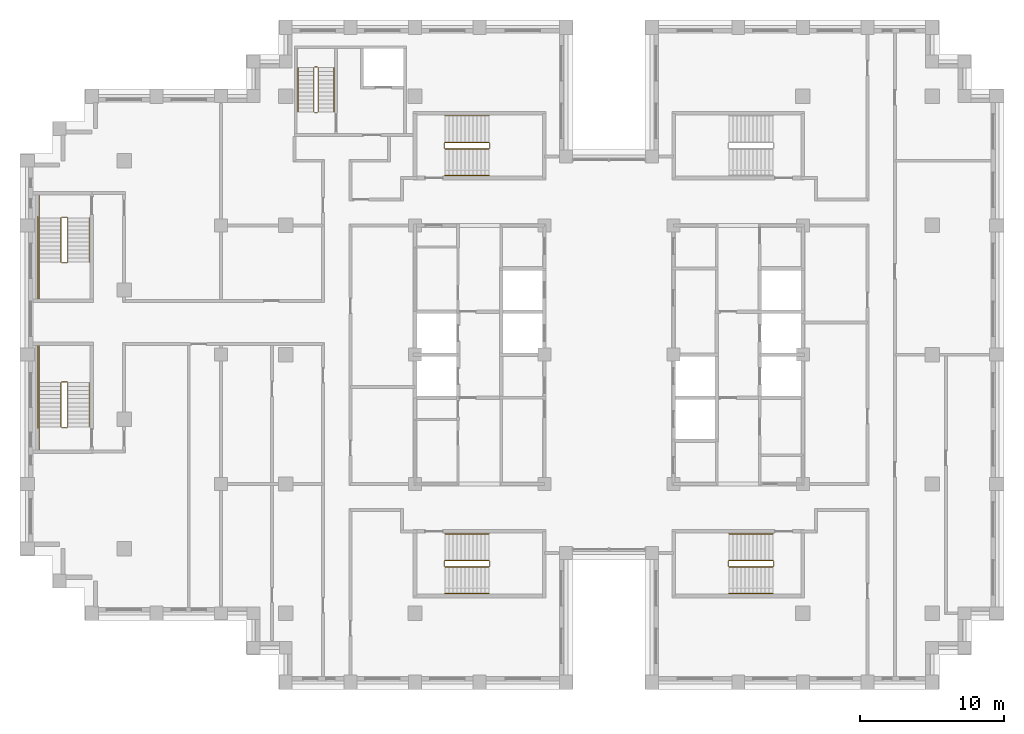
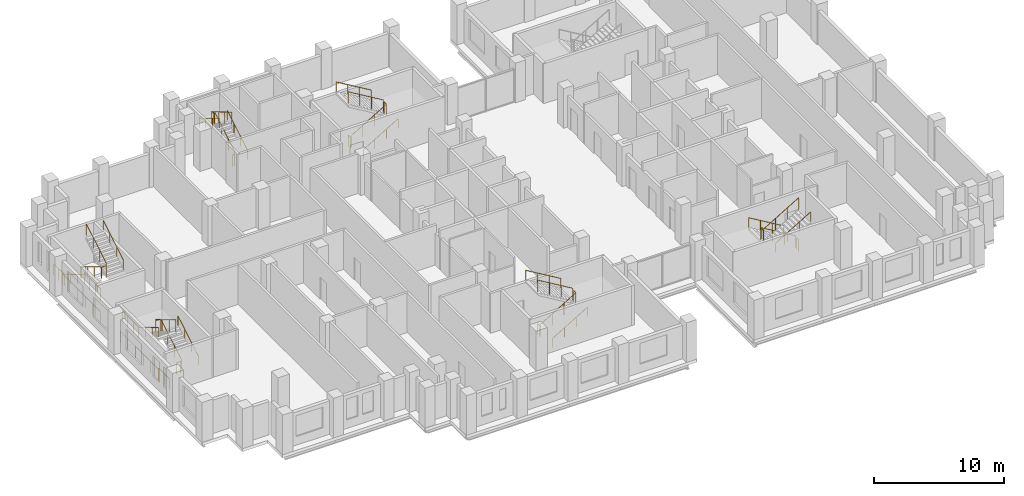
# One storey, part 14 of 15: 6 railings.
"""IFC4 building model written with IfcOpenShell, lengths in metres."""

from ifc_helpers import new_model, si_unit, direction, frame, origin, origin_2d, place, context, subcontext, project, spatial, circle, extrude, material, type_object, element, save


model = new_model("IFC4")

# Units and contexts
model_context = context("Model", 3, precision=1e-05, world=origin(), true_north=direction((0.0, 1.0)))
body_context = subcontext(model_context, "Body", "Model", "MODEL_VIEW")
ifc_project = project(units=[si_unit("LENGTHUNIT", "METRE"), si_unit("AREAUNIT", "SQUARE_METRE"), si_unit("VOLUMEUNIT", "CUBIC_METRE"), si_unit("PLANEANGLEUNIT", "RADIAN"), si_unit("MASSUNIT", "GRAM", prefix="KILO")], contexts=[model_context])

# Site, building, storey
site_placement = place(None, origin())
site = spatial("IfcSite", under=ifc_project, at=site_placement, CompositionType="ELEMENT")
building_placement = place(site_placement, origin())
building = spatial("IfcBuilding", under=site, at=building_placement, Name="Corbelhall Arena Tower", CompositionType="ELEMENT")
storey_placement = place(building_placement, frame((0.0, 0.0, 224.0)))
storey = spatial("IfcBuildingStorey", under=building, at=storey_placement, Name="L47", CompositionType="ELEMENT", Elevation=224.0)

# Railings
ifc_material = material(Name="Steel ASTM A500 Gr C", Category="steel")
railing_type = type_object("IfcRailingType", Name="IN-GD-1100", PredefinedType="GUARDRAIL", material=ifc_material)
railing_1_placement = place(storey_placement, frame((-11.425048828125, 14.324951171875, 0.166748046875)))
element("IfcRailing", 1, at=railing_1_placement, inside=storey, type_object=railing_type, Name="L47 ST1 stair guards and handrails", PredefinedType="GUARDRAIL", context=body_context, shape_type="SweptSolid", body=[
    extrude(circle(Radius=0.02392578125, at=origin_2d()), frame((0.0, 0.0, 1.076171875), z_axis=(0.859308565015, 0.0, 0.511457515432), x_axis=(0.0, 1.0, 0.0)), (0.0, 0.0, 1.0), 3.58447265625),
    extrude(circle(Radius=0.02392578125, at=origin_2d()), frame((3.130126953125, 0.050048828125, 2.9091796875), z_axis=(0.0, 1.0, 0.0), x_axis=(-1.0, 0.0, 0.0)), (0.0, 0.0, 1.0), 0.35009765625),
    extrude(circle(Radius=0.02392578125, at=origin_2d()), frame((3.080078125, 0.449951171875, 3.076171875), z_axis=(-0.859308565015, 0.0, 0.511457515432), x_axis=(0.0, -1.0, 0.0)), (0.0, 0.0, 1.0), 3.58447265625),
    extrude(circle(Radius=0.02392578125, at=origin_2d()), frame((-0.050048828125, 0.050048828125, 0.9091796875), z_axis=(0.0, 1.0, 0.0), x_axis=(-1.0, 0.0, 0.0)), (0.0, 0.0, 1.0), 0.35009765625),
    extrude(circle(Radius=0.02392578125, at=origin_2d()), frame((0.0, -1.849853515625, 0.8759765625), z_axis=(0.859308565015, 0.0, 0.511457515432), x_axis=(0.0, 1.0, 0.0)), (0.0, 0.0, 1.0), 3.58447265625),
    extrude(circle(Radius=0.02392578125, at=origin_2d()), frame((3.080078125, 2.300048828125, 2.8759765625), z_axis=(-0.859308565015, 0.0, 0.511457515432), x_axis=(0.0, -1.0, 0.0)), (0.0, 0.0, 1.0), 3.58447265625),
    extrude(circle(Radius=0.02099609375, at=origin_2d()), origin(), (0.0, 0.0, 1.0), 1.052001953125),
    extrude(circle(Radius=0.02099609375, at=origin_2d()), frame((1.026611328125, 0.0, 0.611083984375)), (0.0, 0.0, 1.0), 1.052001953125),
    extrude(circle(Radius=0.02099609375, at=origin_2d()), frame((2.053466796875, 0.0, 1.22216796875)), (0.0, 0.0, 1.0), 1.052001953125),
    extrude(circle(Radius=0.02099609375, at=origin_2d()), frame((3.080078125, 0.0, 1.833251953125)), (0.0, 0.0, 1.0), 1.052001953125),
    extrude(circle(Radius=0.02099609375, at=origin_2d()), frame((3.130126953125, 0.050048828125, 1.833251953125)), (0.0, 0.0, 1.0), 1.052001953125),
    extrude(circle(Radius=0.02099609375, at=origin_2d()), frame((3.130126953125, 0.400146484375, 1.833251953125)), (0.0, 0.0, 1.0), 1.052001953125),
    extrude(circle(Radius=0.02099609375, at=origin_2d()), frame((3.080078125, 0.449951171875, 2.0)), (0.0, 0.0, 1.0), 1.052001953125),
    extrude(circle(Radius=0.02099609375, at=origin_2d()), frame((2.053466796875, 0.449951171875, 2.611083984375)), (0.0, 0.0, 1.0), 1.052001953125),
    extrude(circle(Radius=0.02099609375, at=origin_2d()), frame((1.026611328125, 0.449951171875, 3.22216796875)), (0.0, 0.0, 1.0), 1.052001953125),
    extrude(circle(Radius=0.02099609375, at=origin_2d()), frame((0.0, 0.449951171875, 3.833251953125)), (0.0, 0.0, 1.0), 1.052001953125),
    extrude(circle(Radius=0.02099609375, at=origin_2d()), frame((-0.050048828125, 0.050048828125, -0.166748046875)), (0.0, 0.0, 1.0), 1.052001953125),
    extrude(circle(Radius=0.02099609375, at=origin_2d()), frame((-0.050048828125, 0.400146484375, -0.166748046875)), (0.0, 0.0, 1.0), 1.052001953125),
    extrude(circle(Radius=0.02099609375, at=origin_2d()), frame((0.0, -1.849853515625, 0.0)), (0.0, 0.0, 1.0), 0.851806640625),
    extrude(circle(Radius=0.02099609375, at=origin_2d()), frame((1.026611328125, -1.849853515625, 0.611083984375)), (0.0, 0.0, 1.0), 0.851806640625),
    extrude(circle(Radius=0.02099609375, at=origin_2d()), frame((2.053466796875, -1.849853515625, 1.22216796875)), (0.0, 0.0, 1.0), 0.851806640625),
    extrude(circle(Radius=0.02099609375, at=origin_2d()), frame((3.080078125, -1.849853515625, 1.833251953125)), (0.0, 0.0, 1.0), 0.851806640625),
    extrude(circle(Radius=0.02099609375, at=origin_2d()), frame((3.080078125, 2.300048828125, 2.0)), (0.0, 0.0, 1.0), 0.851806640625),
    extrude(circle(Radius=0.02099609375, at=origin_2d()), frame((2.053466796875, 2.300048828125, 2.611083984375)), (0.0, 0.0, 1.0), 0.851806640625),
    extrude(circle(Radius=0.02099609375, at=origin_2d()), frame((1.026611328125, 2.300048828125, 3.22216796875)), (0.0, 0.0, 1.0), 0.851806640625),
    extrude(circle(Radius=0.02099609375, at=origin_2d()), frame((0.0, 2.300048828125, 3.833251953125)), (0.0, 0.0, 1.0), 0.851806640625),
])
railing_2_placement = place(storey_placement, frame((-11.425048828125, -14.77490234375, 0.166748046875)))
element("IfcRailing", 2, at=railing_2_placement, inside=storey, type_object=railing_type, Name="L47 ST2 stair guards and handrails", PredefinedType="GUARDRAIL", context=body_context, shape_type="SweptSolid", body=[
    extrude(circle(Radius=0.02392578125, at=origin_2d()), frame((0.0, 0.0, 1.076171875), z_axis=(0.859308565015, 0.0, 0.511457515432), x_axis=(0.0, 1.0, 0.0)), (0.0, 0.0, 1.0), 3.58447265625),
    extrude(circle(Radius=0.02392578125, at=origin_2d()), frame((3.130126953125, 0.0498046875, 2.9091796875), z_axis=(0.0, 1.0, 0.0), x_axis=(-1.0, 0.0, 0.0)), (0.0, 0.0, 1.0), 0.35009765625),
    extrude(circle(Radius=0.02392578125, at=origin_2d()), frame((3.080078125, 0.449951171875, 3.076171875), z_axis=(-0.859308565015, 0.0, 0.511457515432), x_axis=(0.0, -1.0, 0.0)), (0.0, 0.0, 1.0), 3.58447265625),
    extrude(circle(Radius=0.02392578125, at=origin_2d()), frame((-0.050048828125, 0.0498046875, 0.9091796875), z_axis=(0.0, 1.0, 0.0), x_axis=(-1.0, 0.0, 0.0)), (0.0, 0.0, 1.0), 0.35009765625),
    extrude(circle(Radius=0.02392578125, at=origin_2d()), frame((0.0, -1.85009765625, 0.8759765625), z_axis=(0.859308565015, 0.0, 0.511457515432), x_axis=(0.0, 1.0, 0.0)), (0.0, 0.0, 1.0), 3.58447265625),
    extrude(circle(Radius=0.02392578125, at=origin_2d()), frame((3.080078125, 2.2998046875, 2.8759765625), z_axis=(-0.859308565015, 0.0, 0.511457515432), x_axis=(0.0, -1.0, 0.0)), (0.0, 0.0, 1.0), 3.58447265625),
    extrude(circle(Radius=0.02099609375, at=origin_2d()), origin(), (0.0, 0.0, 1.0), 1.052001953125),
    extrude(circle(Radius=0.02099609375, at=origin_2d()), frame((1.026611328125, 0.0, 0.611083984375)), (0.0, 0.0, 1.0), 1.052001953125),
    extrude(circle(Radius=0.02099609375, at=origin_2d()), frame((2.053466796875, 0.0, 1.22216796875)), (0.0, 0.0, 1.0), 1.052001953125),
    extrude(circle(Radius=0.02099609375, at=origin_2d()), frame((3.080078125, 0.0, 1.833251953125)), (0.0, 0.0, 1.0), 1.052001953125),
    extrude(circle(Radius=0.02099609375, at=origin_2d()), frame((3.130126953125, 0.0498046875, 1.833251953125)), (0.0, 0.0, 1.0), 1.052001953125),
    extrude(circle(Radius=0.02099609375, at=origin_2d()), frame((3.130126953125, 0.39990234375, 1.833251953125)), (0.0, 0.0, 1.0), 1.052001953125),
    extrude(circle(Radius=0.02099609375, at=origin_2d()), frame((3.080078125, 0.449951171875, 2.0)), (0.0, 0.0, 1.0), 1.052001953125),
    extrude(circle(Radius=0.02099609375, at=origin_2d()), frame((2.053466796875, 0.449951171875, 2.611083984375)), (0.0, 0.0, 1.0), 1.052001953125),
    extrude(circle(Radius=0.02099609375, at=origin_2d()), frame((1.026611328125, 0.449951171875, 3.22216796875)), (0.0, 0.0, 1.0), 1.052001953125),
    extrude(circle(Radius=0.02099609375, at=origin_2d()), frame((0.0, 0.449951171875, 3.833251953125)), (0.0, 0.0, 1.0), 1.052001953125),
    extrude(circle(Radius=0.02099609375, at=origin_2d()), frame((-0.050048828125, 0.0498046875, -0.166748046875)), (0.0, 0.0, 1.0), 1.052001953125),
    extrude(circle(Radius=0.02099609375, at=origin_2d()), frame((-0.050048828125, 0.39990234375, -0.166748046875)), (0.0, 0.0, 1.0), 1.052001953125),
    extrude(circle(Radius=0.02099609375, at=origin_2d()), frame((0.0, -1.85009765625, 0.0)), (0.0, 0.0, 1.0), 0.851806640625),
    extrude(circle(Radius=0.02099609375, at=origin_2d()), frame((1.026611328125, -1.85009765625, 0.611083984375)), (0.0, 0.0, 1.0), 0.851806640625),
    extrude(circle(Radius=0.02099609375, at=origin_2d()), frame((2.053466796875, -1.85009765625, 1.22216796875)), (0.0, 0.0, 1.0), 0.851806640625),
    extrude(circle(Radius=0.02099609375, at=origin_2d()), frame((3.080078125, -1.85009765625, 1.833251953125)), (0.0, 0.0, 1.0), 0.851806640625),
    extrude(circle(Radius=0.02099609375, at=origin_2d()), frame((3.080078125, 2.2998046875, 2.0)), (0.0, 0.0, 1.0), 0.851806640625),
    extrude(circle(Radius=0.02099609375, at=origin_2d()), frame((2.053466796875, 2.2998046875, 2.611083984375)), (0.0, 0.0, 1.0), 0.851806640625),
    extrude(circle(Radius=0.02099609375, at=origin_2d()), frame((1.026611328125, 2.2998046875, 3.22216796875)), (0.0, 0.0, 1.0), 0.851806640625),
    extrude(circle(Radius=0.02099609375, at=origin_2d()), frame((0.0, 2.2998046875, 3.833251953125)), (0.0, 0.0, 1.0), 0.851806640625),
])
railing_3_placement = place(storey_placement, frame((11.425048828125, -14.324951171875, 0.166748046875)))
element("IfcRailing", 3, at=railing_3_placement, inside=storey, type_object=railing_type, Name="L47 ST4 stair guards and handrails", PredefinedType="GUARDRAIL", context=body_context, shape_type="SweptSolid", body=[
    extrude(circle(Radius=0.02392578125, at=origin_2d()), frame((0.0, 0.0, 1.076171875), z_axis=(-0.859308565015, 0.0, 0.511457515432), x_axis=(0.0, -1.0, 0.0)), (0.0, 0.0, 1.0), 3.58447265625),
    extrude(circle(Radius=0.02392578125, at=origin_2d()), frame((-3.130126953125, -0.050048828125, 2.9091796875), z_axis=(0.0, -1.0, 0.0), x_axis=(1.0, 0.0, 0.0)), (0.0, 0.0, 1.0), 0.35009765625),
    extrude(circle(Radius=0.02392578125, at=origin_2d()), frame((-3.080078125, -0.449951171875, 3.076171875), z_axis=(0.859308565015, 0.0, 0.511457515432), x_axis=(0.0, 1.0, 0.0)), (0.0, 0.0, 1.0), 3.58447265625),
    extrude(circle(Radius=0.02392578125, at=origin_2d()), frame((0.050048828125, -0.050048828125, 0.9091796875), z_axis=(0.0, -1.0, 0.0), x_axis=(1.0, 0.0, 0.0)), (0.0, 0.0, 1.0), 0.35009765625),
    extrude(circle(Radius=0.02392578125, at=origin_2d()), frame((0.0, 1.849853515625, 0.8759765625), z_axis=(-0.859308565015, 0.0, 0.511457515432), x_axis=(0.0, -1.0, 0.0)), (0.0, 0.0, 1.0), 3.58447265625),
    extrude(circle(Radius=0.02392578125, at=origin_2d()), frame((-3.080078125, -2.300048828125, 2.8759765625), z_axis=(0.859308565015, 0.0, 0.511457515432), x_axis=(0.0, 1.0, 0.0)), (0.0, 0.0, 1.0), 3.58447265625),
    extrude(circle(Radius=0.02099609375, at=origin_2d()), origin(), (0.0, 0.0, 1.0), 1.052001953125),
    extrude(circle(Radius=0.02099609375, at=origin_2d()), frame((-1.026611328125, 0.0, 0.611083984375)), (0.0, 0.0, 1.0), 1.052001953125),
    extrude(circle(Radius=0.02099609375, at=origin_2d()), frame((-2.053466796875, 0.0, 1.22216796875)), (0.0, 0.0, 1.0), 1.052001953125),
    extrude(circle(Radius=0.02099609375, at=origin_2d()), frame((-3.080078125, 0.0, 1.833251953125)), (0.0, 0.0, 1.0), 1.052001953125),
    extrude(circle(Radius=0.02099609375, at=origin_2d()), frame((-3.130126953125, -0.050048828125, 1.833251953125)), (0.0, 0.0, 1.0), 1.052001953125),
    extrude(circle(Radius=0.02099609375, at=origin_2d()), frame((-3.130126953125, -0.400146484375, 1.833251953125)), (0.0, 0.0, 1.0), 1.052001953125),
    extrude(circle(Radius=0.02099609375, at=origin_2d()), frame((-3.080078125, -0.449951171875, 2.0)), (0.0, 0.0, 1.0), 1.052001953125),
    extrude(circle(Radius=0.02099609375, at=origin_2d()), frame((-2.053466796875, -0.449951171875, 2.611083984375)), (0.0, 0.0, 1.0), 1.052001953125),
    extrude(circle(Radius=0.02099609375, at=origin_2d()), frame((-1.026611328125, -0.449951171875, 3.22216796875)), (0.0, 0.0, 1.0), 1.052001953125),
    extrude(circle(Radius=0.02099609375, at=origin_2d()), frame((0.0, -0.449951171875, 3.833251953125)), (0.0, 0.0, 1.0), 1.052001953125),
    extrude(circle(Radius=0.02099609375, at=origin_2d()), frame((0.050048828125, -0.050048828125, -0.166748046875)), (0.0, 0.0, 1.0), 1.052001953125),
    extrude(circle(Radius=0.02099609375, at=origin_2d()), frame((0.050048828125, -0.400146484375, -0.166748046875)), (0.0, 0.0, 1.0), 1.052001953125),
    extrude(circle(Radius=0.02099609375, at=origin_2d()), frame((0.0, 1.849853515625, 0.0)), (0.0, 0.0, 1.0), 0.851806640625),
    extrude(circle(Radius=0.02099609375, at=origin_2d()), frame((-1.026611328125, 1.849853515625, 0.611083984375)), (0.0, 0.0, 1.0), 0.851806640625),
    extrude(circle(Radius=0.02099609375, at=origin_2d()), frame((-2.053466796875, 1.849853515625, 1.22216796875)), (0.0, 0.0, 1.0), 0.851806640625),
    extrude(circle(Radius=0.02099609375, at=origin_2d()), frame((-3.080078125, 1.849853515625, 1.833251953125)), (0.0, 0.0, 1.0), 0.851806640625),
    extrude(circle(Radius=0.02099609375, at=origin_2d()), frame((-3.080078125, -2.300048828125, 2.0)), (0.0, 0.0, 1.0), 0.851806640625),
    extrude(circle(Radius=0.02099609375, at=origin_2d()), frame((-2.053466796875, -2.300048828125, 2.611083984375)), (0.0, 0.0, 1.0), 0.851806640625),
    extrude(circle(Radius=0.02099609375, at=origin_2d()), frame((-1.026611328125, -2.300048828125, 3.22216796875)), (0.0, 0.0, 1.0), 0.851806640625),
    extrude(circle(Radius=0.02099609375, at=origin_2d()), frame((0.0, -2.300048828125, 3.833251953125)), (0.0, 0.0, 1.0), 0.851806640625),
])
railing_4_placement = place(storey_placement, frame((-38.14990234375, 9.52490234375, 0.166748046875)))
element("IfcRailing", 4, at=railing_4_placement, inside=storey, type_object=railing_type, Name="L47 SC1 stair guards and handrails", PredefinedType="GUARDRAIL", context=body_context, shape_type="SweptSolid", body=[
    extrude(circle(Radius=0.02392578125, at=origin_2d()), frame((0.0, 0.0, 1.076171875), z_axis=(0.0, -0.859290745958, 0.51148745235), x_axis=(1.0, 0.0, 0.0)), (0.0, 0.0, 1.0), 3.584228515625),
    extrude(circle(Radius=0.02392578125, at=origin_2d()), frame((0.0498046875, -3.1298828125, 2.9091796875), z_axis=(1.0, 0.0, 0.0), x_axis=(0.0, 1.0, 0.0)), (0.0, 0.0, 1.0), 0.375),
    extrude(circle(Radius=0.02392578125, at=origin_2d()), frame((-1.5, -3.079833984375, 2.9091796875), z_axis=(0.0, -1.0, 0.0), x_axis=(1.0, 0.0, 0.0)), (0.0, 0.0, 1.0), 2.570068359375),
    extrude(circle(Radius=0.02392578125, at=origin_2d()), frame((0.474853515625, -3.079833984375, 3.076171875), z_axis=(0.0, 0.859290745958, 0.51148745235), x_axis=(-1.0, 0.0, 0.0)), (0.0, 0.0, 1.0), 3.584228515625),
    extrude(circle(Radius=0.02392578125, at=origin_2d()), frame((0.0498046875, 0.050048828125, 0.9091796875), z_axis=(1.0, 0.0, 0.0), x_axis=(0.0, 1.0, 0.0)), (0.0, 0.0, 1.0), 0.375),
    extrude(circle(Radius=0.02392578125, at=origin_2d()), frame((-1.5, 1.60009765625, 0.9091796875), z_axis=(0.0, -1.0, 0.0), x_axis=(1.0, 0.0, 0.0)), (0.0, 0.0, 1.0), 1.60009765625),
    extrude(circle(Radius=0.02392578125, at=origin_2d()), frame((-1.60009765625, 0.10009765625, 0.9091796875), z_axis=(0.0, -1.0, 0.0), x_axis=(1.0, 0.0, 0.0)), (0.0, 0.0, 1.0), 5.85009765625),
    extrude(circle(Radius=0.02392578125, at=origin_2d()), frame((-1.5, 0.0, 0.8759765625), z_axis=(0.0, -0.859290745958, 0.51148745235), x_axis=(1.0, 0.0, 0.0)), (0.0, 0.0, 1.0), 3.584228515625),
    extrude(circle(Radius=0.02392578125, at=origin_2d()), frame((1.974853515625, -3.079833984375, 2.8759765625), z_axis=(0.0, 0.859290745958, 0.51148745235), x_axis=(-1.0, 0.0, 0.0)), (0.0, 0.0, 1.0), 3.584228515625),
    extrude(circle(Radius=0.02099609375, at=origin_2d()), origin(), (0.0, 0.0, 1.0), 1.052001953125),
    extrude(circle(Radius=0.02099609375, at=origin_2d()), frame((0.0, -1.026611328125, 0.611083984375)), (0.0, 0.0, 1.0), 1.052001953125),
    extrude(circle(Radius=0.02099609375, at=origin_2d()), frame((0.0, -2.05322265625, 1.22216796875)), (0.0, 0.0, 1.0), 1.052001953125),
    extrude(circle(Radius=0.02099609375, at=origin_2d()), frame((0.0, -3.079833984375, 1.833251953125)), (0.0, 0.0, 1.0), 1.052001953125),
    extrude(circle(Radius=0.02099609375, at=origin_2d()), frame((0.0498046875, -3.1298828125, 1.833251953125)), (0.0, 0.0, 1.0), 1.052001953125),
    extrude(circle(Radius=0.02099609375, at=origin_2d()), frame((0.4248046875, -3.1298828125, 1.833251953125)), (0.0, 0.0, 1.0), 1.052001953125),
    extrude(circle(Radius=0.02099609375, at=origin_2d()), frame((-1.5, -3.079833984375, 1.833251953125)), (0.0, 0.0, 1.0), 1.052001953125),
    extrude(circle(Radius=0.02099609375, at=origin_2d()), frame((-1.5, -3.9365234375, 1.833251953125)), (0.0, 0.0, 1.0), 1.052001953125),
    extrude(circle(Radius=0.02099609375, at=origin_2d()), frame((-1.5, -4.793212890625, 1.833251953125)), (0.0, 0.0, 1.0), 1.052001953125),
    extrude(circle(Radius=0.02099609375, at=origin_2d()), frame((-1.5, -5.64990234375, 1.833251953125)), (0.0, 0.0, 1.0), 1.052001953125),
    extrude(circle(Radius=0.02099609375, at=origin_2d()), frame((0.474853515625, -3.079833984375, 2.0)), (0.0, 0.0, 1.0), 1.052001953125),
    extrude(circle(Radius=0.02099609375, at=origin_2d()), frame((0.474853515625, -2.05322265625, 2.611083984375)), (0.0, 0.0, 1.0), 1.052001953125),
    extrude(circle(Radius=0.02099609375, at=origin_2d()), frame((0.474853515625, -1.026611328125, 3.22216796875)), (0.0, 0.0, 1.0), 1.052001953125),
    extrude(circle(Radius=0.02099609375, at=origin_2d()), frame((0.474853515625, 0.0, 3.833251953125)), (0.0, 0.0, 1.0), 1.052001953125),
    extrude(circle(Radius=0.02099609375, at=origin_2d()), frame((0.0498046875, 0.050048828125, -0.166748046875)), (0.0, 0.0, 1.0), 1.052001953125),
    extrude(circle(Radius=0.02099609375, at=origin_2d()), frame((0.4248046875, 0.050048828125, -0.166748046875)), (0.0, 0.0, 1.0), 1.052001953125),
    extrude(circle(Radius=0.02099609375, at=origin_2d()), frame((-1.5, 1.60009765625, -0.166748046875)), (0.0, 0.0, 1.0), 1.052001953125),
    extrude(circle(Radius=0.02099609375, at=origin_2d()), frame((-1.5, 0.800048828125, -0.166748046875)), (0.0, 0.0, 1.0), 1.052001953125),
    extrude(circle(Radius=0.02099609375, at=origin_2d()), frame((-1.5, 0.0, -0.166748046875)), (0.0, 0.0, 1.0), 1.052001953125),
    extrude(circle(Radius=0.02099609375, at=origin_2d()), frame((-1.60009765625, 0.10009765625, -0.166748046875)), (0.0, 0.0, 1.0), 1.052001953125),
    extrude(circle(Radius=0.02099609375, at=origin_2d()), frame((-1.60009765625, -1.06982421875, -0.166748046875)), (0.0, 0.0, 1.0), 1.052001953125),
    extrude(circle(Radius=0.02099609375, at=origin_2d()), frame((-1.60009765625, -2.239990234375, -0.166748046875)), (0.0, 0.0, 1.0), 1.052001953125),
    extrude(circle(Radius=0.02099609375, at=origin_2d()), frame((-1.60009765625, -3.409912109375, -0.166748046875)), (0.0, 0.0, 1.0), 1.052001953125),
    extrude(circle(Radius=0.02099609375, at=origin_2d()), frame((-1.60009765625, -4.580078125, -0.166748046875)), (0.0, 0.0, 1.0), 1.052001953125),
    extrude(circle(Radius=0.02099609375, at=origin_2d()), frame((-1.60009765625, -5.75, -0.166748046875)), (0.0, 0.0, 1.0), 1.052001953125),
    extrude(circle(Radius=0.02099609375, at=origin_2d()), frame((-1.5, 0.0, 0.0)), (0.0, 0.0, 1.0), 0.851806640625),
    extrude(circle(Radius=0.02099609375, at=origin_2d()), frame((-1.5, -1.026611328125, 0.611083984375)), (0.0, 0.0, 1.0), 0.851806640625),
    extrude(circle(Radius=0.02099609375, at=origin_2d()), frame((-1.5, -2.05322265625, 1.22216796875)), (0.0, 0.0, 1.0), 0.851806640625),
    extrude(circle(Radius=0.02099609375, at=origin_2d()), frame((1.974853515625, -3.079833984375, 2.0)), (0.0, 0.0, 1.0), 0.851806640625),
    extrude(circle(Radius=0.02099609375, at=origin_2d()), frame((1.974853515625, -2.05322265625, 2.611083984375)), (0.0, 0.0, 1.0), 0.851806640625),
    extrude(circle(Radius=0.02099609375, at=origin_2d()), frame((1.974853515625, -1.026611328125, 3.22216796875)), (0.0, 0.0, 1.0), 0.851806640625),
    extrude(circle(Radius=0.02099609375, at=origin_2d()), frame((1.974853515625, 0.0, 3.833251953125)), (0.0, 0.0, 1.0), 0.851806640625),
])
railing_5_placement = place(storey_placement, frame((-37.675048828125, -5.02490234375, 0.166748046875)))
element("IfcRailing", 5, at=railing_5_placement, inside=storey, type_object=railing_type, Name="L47 SC2 stair guards and handrails", PredefinedType="GUARDRAIL", context=body_context, shape_type="SweptSolid", body=[
    extrude(circle(Radius=0.02392578125, at=origin_2d()), frame((0.0, 0.0, 1.076171875), z_axis=(0.0, 0.859290745958, 0.51148745235), x_axis=(-1.0, 0.0, 0.0)), (0.0, 0.0, 1.0), 3.584228515625),
    extrude(circle(Radius=0.02392578125, at=origin_2d()), frame((-0.050048828125, 3.1298828125, 2.9091796875), z_axis=(-1.0, 0.0, 0.0), x_axis=(0.0, -1.0, 0.0)), (0.0, 0.0, 1.0), 0.375),
    extrude(circle(Radius=0.02392578125, at=origin_2d()), frame((-1.974853515625, 3.079833984375, 2.9091796875), z_axis=(0.0, 1.0, 0.0), x_axis=(-1.0, 0.0, 0.0)), (0.0, 0.0, 1.0), 2.570068359375),
    extrude(circle(Radius=0.02392578125, at=origin_2d()), frame((-0.474853515625, 3.079833984375, 3.076171875), z_axis=(0.0, -0.859290745958, 0.51148745235), x_axis=(1.0, 0.0, 0.0)), (0.0, 0.0, 1.0), 3.584228515625),
    extrude(circle(Radius=0.02392578125, at=origin_2d()), frame((-0.050048828125, -0.050048828125, 0.9091796875), z_axis=(-1.0, 0.0, 0.0), x_axis=(0.0, -1.0, 0.0)), (0.0, 0.0, 1.0), 0.375),
    extrude(circle(Radius=0.02392578125, at=origin_2d()), frame((-1.974853515625, -1.60009765625, 0.9091796875), z_axis=(0.0, 1.0, 0.0), x_axis=(-1.0, 0.0, 0.0)), (0.0, 0.0, 1.0), 1.60009765625),
    extrude(circle(Radius=0.02392578125, at=origin_2d()), frame((-2.074951171875, -0.10009765625, 0.9091796875), z_axis=(0.0, 1.0, 0.0), x_axis=(-1.0, 0.0, 0.0)), (0.0, 0.0, 1.0), 5.85009765625),
    extrude(circle(Radius=0.02392578125, at=origin_2d()), frame((1.5, 0.0, 0.8759765625), z_axis=(0.0, 0.859290745958, 0.51148745235), x_axis=(-1.0, 0.0, 0.0)), (0.0, 0.0, 1.0), 3.584228515625),
    extrude(circle(Radius=0.02392578125, at=origin_2d()), frame((-1.974853515625, 3.079833984375, 2.8759765625), z_axis=(0.0, -0.859290745958, 0.51148745235), x_axis=(1.0, 0.0, 0.0)), (0.0, 0.0, 1.0), 3.584228515625),
    extrude(circle(Radius=0.02099609375, at=origin_2d()), origin(), (0.0, 0.0, 1.0), 1.052001953125),
    extrude(circle(Radius=0.02099609375, at=origin_2d()), frame((0.0, 1.026611328125, 0.611083984375)), (0.0, 0.0, 1.0), 1.052001953125),
    extrude(circle(Radius=0.02099609375, at=origin_2d()), frame((0.0, 2.05322265625, 1.22216796875)), (0.0, 0.0, 1.0), 1.052001953125),
    extrude(circle(Radius=0.02099609375, at=origin_2d()), frame((0.0, 3.079833984375, 1.833251953125)), (0.0, 0.0, 1.0), 1.052001953125),
    extrude(circle(Radius=0.02099609375, at=origin_2d()), frame((-0.050048828125, 3.1298828125, 1.833251953125)), (0.0, 0.0, 1.0), 1.052001953125),
    extrude(circle(Radius=0.02099609375, at=origin_2d()), frame((-0.425048828125, 3.1298828125, 1.833251953125)), (0.0, 0.0, 1.0), 1.052001953125),
    extrude(circle(Radius=0.02099609375, at=origin_2d()), frame((-1.974853515625, 3.079833984375, 1.833251953125)), (0.0, 0.0, 1.0), 1.052001953125),
    extrude(circle(Radius=0.02099609375, at=origin_2d()), frame((-1.974853515625, 3.9365234375, 1.833251953125)), (0.0, 0.0, 1.0), 1.052001953125),
    extrude(circle(Radius=0.02099609375, at=origin_2d()), frame((-1.974853515625, 4.793212890625, 1.833251953125)), (0.0, 0.0, 1.0), 1.052001953125),
    extrude(circle(Radius=0.02099609375, at=origin_2d()), frame((-1.974853515625, 5.64990234375, 1.833251953125)), (0.0, 0.0, 1.0), 1.052001953125),
    extrude(circle(Radius=0.02099609375, at=origin_2d()), frame((-0.474853515625, 3.079833984375, 2.0)), (0.0, 0.0, 1.0), 1.052001953125),
    extrude(circle(Radius=0.02099609375, at=origin_2d()), frame((-0.474853515625, 2.05322265625, 2.611083984375)), (0.0, 0.0, 1.0), 1.052001953125),
    extrude(circle(Radius=0.02099609375, at=origin_2d()), frame((-0.474853515625, 1.026611328125, 3.22216796875)), (0.0, 0.0, 1.0), 1.052001953125),
    extrude(circle(Radius=0.02099609375, at=origin_2d()), frame((-0.474853515625, 0.0, 3.833251953125)), (0.0, 0.0, 1.0), 1.052001953125),
    extrude(circle(Radius=0.02099609375, at=origin_2d()), frame((-0.050048828125, -0.050048828125, -0.166748046875)), (0.0, 0.0, 1.0), 1.052001953125),
    extrude(circle(Radius=0.02099609375, at=origin_2d()), frame((-0.425048828125, -0.050048828125, -0.166748046875)), (0.0, 0.0, 1.0), 1.052001953125),
    extrude(circle(Radius=0.02099609375, at=origin_2d()), frame((-1.974853515625, -1.60009765625, -0.166748046875)), (0.0, 0.0, 1.0), 1.052001953125),
    extrude(circle(Radius=0.02099609375, at=origin_2d()), frame((-1.974853515625, -0.800048828125, -0.166748046875)), (0.0, 0.0, 1.0), 1.052001953125),
    extrude(circle(Radius=0.02099609375, at=origin_2d()), frame((-1.974853515625, 0.0, -0.166748046875)), (0.0, 0.0, 1.0), 1.052001953125),
    extrude(circle(Radius=0.02099609375, at=origin_2d()), frame((-2.074951171875, -0.10009765625, -0.166748046875)), (0.0, 0.0, 1.0), 1.052001953125),
    extrude(circle(Radius=0.02099609375, at=origin_2d()), frame((-2.074951171875, 1.06982421875, -0.166748046875)), (0.0, 0.0, 1.0), 1.052001953125),
    extrude(circle(Radius=0.02099609375, at=origin_2d()), frame((-2.074951171875, 2.239990234375, -0.166748046875)), (0.0, 0.0, 1.0), 1.052001953125),
    extrude(circle(Radius=0.02099609375, at=origin_2d()), frame((-2.074951171875, 3.409912109375, -0.166748046875)), (0.0, 0.0, 1.0), 1.052001953125),
    extrude(circle(Radius=0.02099609375, at=origin_2d()), frame((-2.074951171875, 4.580078125, -0.166748046875)), (0.0, 0.0, 1.0), 1.052001953125),
    extrude(circle(Radius=0.02099609375, at=origin_2d()), frame((-2.074951171875, 5.75, -0.166748046875)), (0.0, 0.0, 1.0), 1.052001953125),
    extrude(circle(Radius=0.02099609375, at=origin_2d()), frame((1.5, 0.0, 0.0)), (0.0, 0.0, 1.0), 0.851806640625),
    extrude(circle(Radius=0.02099609375, at=origin_2d()), frame((1.5, 1.026611328125, 0.611083984375)), (0.0, 0.0, 1.0), 0.851806640625),
    extrude(circle(Radius=0.02099609375, at=origin_2d()), frame((1.5, 2.05322265625, 1.22216796875)), (0.0, 0.0, 1.0), 0.851806640625),
    extrude(circle(Radius=0.02099609375, at=origin_2d()), frame((1.5, 3.079833984375, 1.833251953125)), (0.0, 0.0, 1.0), 0.851806640625),
    extrude(circle(Radius=0.02099609375, at=origin_2d()), frame((-1.974853515625, 3.079833984375, 2.0)), (0.0, 0.0, 1.0), 0.851806640625),
    extrude(circle(Radius=0.02099609375, at=origin_2d()), frame((-1.974853515625, 2.05322265625, 2.611083984375)), (0.0, 0.0, 1.0), 0.851806640625),
    extrude(circle(Radius=0.02099609375, at=origin_2d()), frame((-1.974853515625, 1.026611328125, 3.22216796875)), (0.0, 0.0, 1.0), 0.851806640625),
    extrude(circle(Radius=0.02099609375, at=origin_2d()), frame((-1.974853515625, 0.0, 3.833251953125)), (0.0, 0.0, 1.0), 0.851806640625),
])
railing_6_placement = place(storey_placement, frame((-20.2451171875, 16.89990234375, 0.166748046875)))
element("IfcRailing", 6, at=railing_6_placement, inside=storey, type_object=railing_type, Name="L47 ST5 stair guards and handrails", PredefinedType="GUARDRAIL", context=body_context, shape_type="SweptSolid", body=[
    extrude(circle(Radius=0.02392578125, at=origin_2d()), frame((0.0, 0.0, 1.076171875), z_axis=(0.0, 0.859308565015, 0.511457515432), x_axis=(-1.0, 0.0, 0.0)), (0.0, 0.0, 1.0), 3.58447265625),
    extrude(circle(Radius=0.02392578125, at=origin_2d()), frame((-0.0498046875, 3.130126953125, 2.9091796875), z_axis=(-1.0, 0.0, 0.0), x_axis=(0.0, -1.0, 0.0)), (0.0, 0.0, 1.0), 0.2001953125),
    extrude(circle(Radius=0.02392578125, at=origin_2d()), frame((-0.2998046875, 3.080078125, 3.076171875), z_axis=(0.0, -0.859308565015, 0.511457515432), x_axis=(1.0, 0.0, 0.0)), (0.0, 0.0, 1.0), 3.58447265625),
    extrude(circle(Radius=0.02392578125, at=origin_2d()), frame((-0.0498046875, -0.0498046875, 0.9091796875), z_axis=(-1.0, 0.0, 0.0), x_axis=(0.0, -1.0, 0.0)), (0.0, 0.0, 1.0), 0.2001953125),
    extrude(circle(Radius=0.02392578125, at=origin_2d()), frame((1.10009765625, 0.0, 0.8759765625), z_axis=(0.0, 0.859308565015, 0.511457515432), x_axis=(-1.0, 0.0, 0.0)), (0.0, 0.0, 1.0), 3.58447265625),
    extrude(circle(Radius=0.02392578125, at=origin_2d()), frame((-1.39990234375, 3.080078125, 2.8759765625), z_axis=(0.0, -0.859308565015, 0.511457515432), x_axis=(1.0, 0.0, 0.0)), (0.0, 0.0, 1.0), 3.58447265625),
    extrude(circle(Radius=0.02099609375, at=origin_2d()), origin(), (0.0, 0.0, 1.0), 1.052001953125),
    extrude(circle(Radius=0.02099609375, at=origin_2d()), frame((0.0, 1.026611328125, 0.611083984375)), (0.0, 0.0, 1.0), 1.052001953125),
    extrude(circle(Radius=0.02099609375, at=origin_2d()), frame((0.0, 2.053466796875, 1.22216796875)), (0.0, 0.0, 1.0), 1.052001953125),
    extrude(circle(Radius=0.02099609375, at=origin_2d()), frame((0.0, 3.080078125, 1.833251953125)), (0.0, 0.0, 1.0), 1.052001953125),
    extrude(circle(Radius=0.02099609375, at=origin_2d()), frame((-0.0498046875, 3.130126953125, 1.833251953125)), (0.0, 0.0, 1.0), 1.052001953125),
    extrude(circle(Radius=0.02099609375, at=origin_2d()), frame((-0.25, 3.130126953125, 1.833251953125)), (0.0, 0.0, 1.0), 1.052001953125),
    extrude(circle(Radius=0.02099609375, at=origin_2d()), frame((-0.2998046875, 3.080078125, 2.0)), (0.0, 0.0, 1.0), 1.052001953125),
    extrude(circle(Radius=0.02099609375, at=origin_2d()), frame((-0.2998046875, 2.053466796875, 2.611083984375)), (0.0, 0.0, 1.0), 1.052001953125),
    extrude(circle(Radius=0.02099609375, at=origin_2d()), frame((-0.2998046875, 1.026611328125, 3.22216796875)), (0.0, 0.0, 1.0), 1.052001953125),
    extrude(circle(Radius=0.02099609375, at=origin_2d()), frame((-0.2998046875, 0.0, 3.833251953125)), (0.0, 0.0, 1.0), 1.052001953125),
    extrude(circle(Radius=0.02099609375, at=origin_2d()), frame((-0.0498046875, -0.0498046875, -0.166748046875)), (0.0, 0.0, 1.0), 1.052001953125),
    extrude(circle(Radius=0.02099609375, at=origin_2d()), frame((-0.25, -0.0498046875, -0.166748046875)), (0.0, 0.0, 1.0), 1.052001953125),
    extrude(circle(Radius=0.02099609375, at=origin_2d()), frame((1.10009765625, 0.0, 0.0)), (0.0, 0.0, 1.0), 0.851806640625),
    extrude(circle(Radius=0.02099609375, at=origin_2d()), frame((1.10009765625, 1.026611328125, 0.611083984375)), (0.0, 0.0, 1.0), 0.851806640625),
    extrude(circle(Radius=0.02099609375, at=origin_2d()), frame((1.10009765625, 2.053466796875, 1.22216796875)), (0.0, 0.0, 1.0), 0.851806640625),
    extrude(circle(Radius=0.02099609375, at=origin_2d()), frame((1.10009765625, 3.080078125, 1.833251953125)), (0.0, 0.0, 1.0), 0.851806640625),
    extrude(circle(Radius=0.02099609375, at=origin_2d()), frame((-1.39990234375, 3.080078125, 2.0)), (0.0, 0.0, 1.0), 0.851806640625),
    extrude(circle(Radius=0.02099609375, at=origin_2d()), frame((-1.39990234375, 2.053466796875, 2.611083984375)), (0.0, 0.0, 1.0), 0.851806640625),
    extrude(circle(Radius=0.02099609375, at=origin_2d()), frame((-1.39990234375, 1.026611328125, 3.22216796875)), (0.0, 0.0, 1.0), 0.851806640625),
    extrude(circle(Radius=0.02099609375, at=origin_2d()), frame((-1.39990234375, 0.0, 3.833251953125)), (0.0, 0.0, 1.0), 0.851806640625),
])

save(model, "model.ifc")
